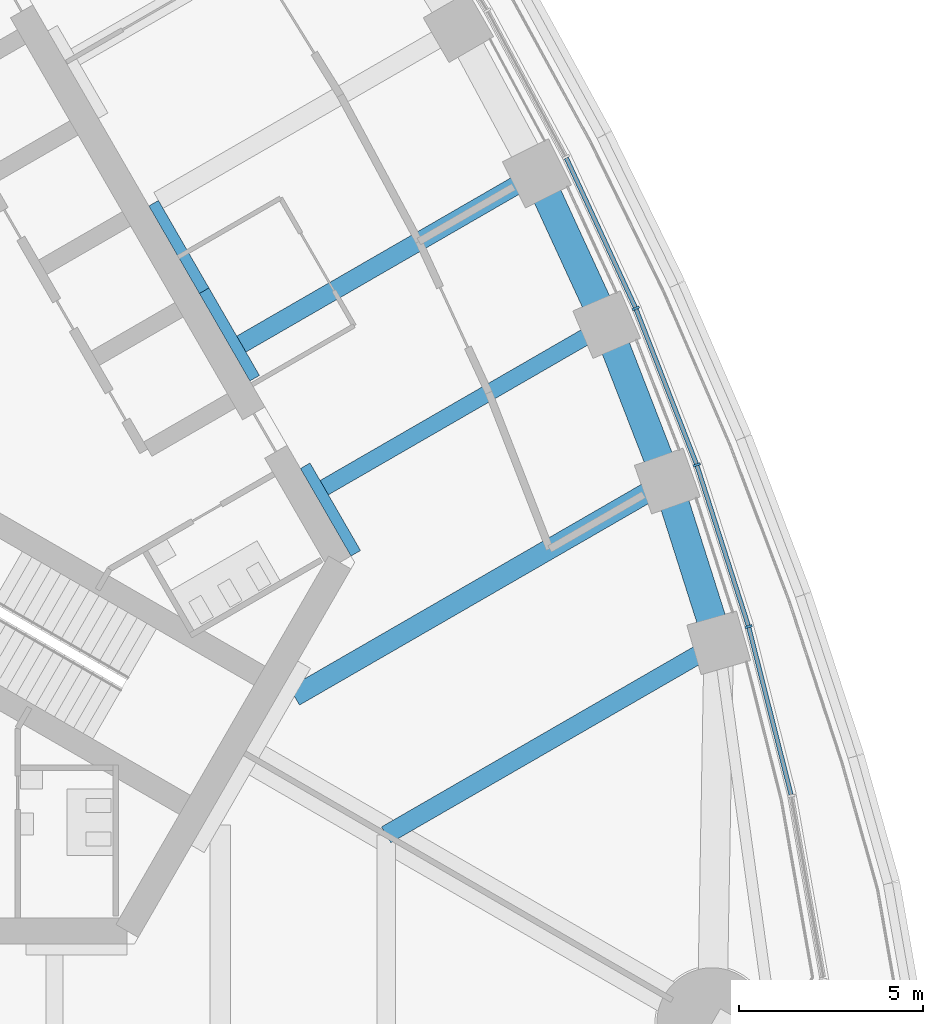
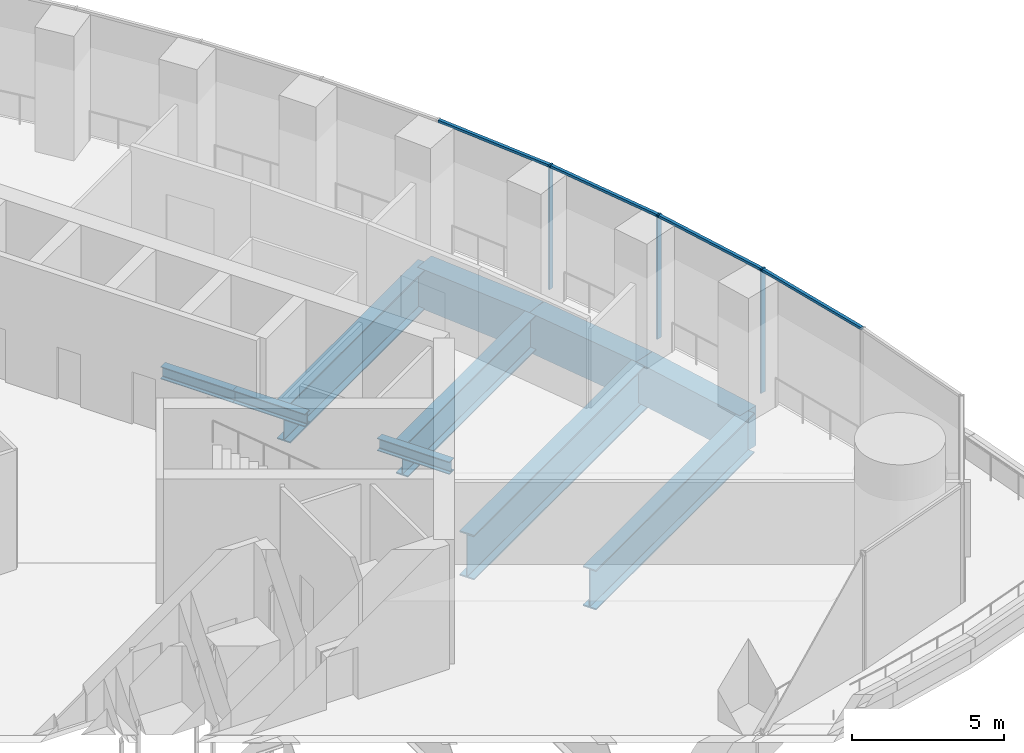
# One storey, part 5 of 26: 10 beams, 7 members, 1 element without a shape of its own.
"""IFC4 building model written with IfcOpenShell, lengths in metres."""

from ifc_helpers import new_model, si_unit, direction, frame, origin, origin_2d, place, context, subcontext, project, spatial, rectangle, i_section, extrude, material, material_profile, profile_set, type_object, element, aggregate, save


model = new_model("IFC4")

# Units and contexts
model_context = context("Model", 3, precision=1e-05, world=origin(), true_north=direction((0.0, 1.0)))
body_context = subcontext(model_context, "Body", "Model", "MODEL_VIEW")
ifc_project = project(units=[si_unit("LENGTHUNIT", "METRE"), si_unit("AREAUNIT", "SQUARE_METRE"), si_unit("VOLUMEUNIT", "CUBIC_METRE"), si_unit("PLANEANGLEUNIT", "RADIAN"), si_unit("MASSUNIT", "GRAM", prefix="KILO")], contexts=[model_context])

# Site, building, storey
site_placement = place(None, origin())
site = spatial("IfcSite", under=ifc_project, at=site_placement, CompositionType="ELEMENT")
building_placement = place(site_placement, origin())
building = spatial("IfcBuilding", under=site, at=building_placement, Name="Trefoil Bronze Tower", CompositionType="ELEMENT")
storey_placement = place(building_placement, frame((0.0, 0.0, 271.300048828125)))
storey = spatial("IfcBuildingStorey", under=building, at=storey_placement, Name="L62", CompositionType="ELEMENT", Elevation=271.300048828125)

# Curtain wall, members
ifc_material_1 = material(Name="Tinted solar-control glass", Category="glass")
curtain_wall_type = type_object("IfcCurtainWallType", Name="Bronze sky lobby curtain wall", PredefinedType="USERDEFINED", material=ifc_material_1)
curtain_wall_placement = place(storey_placement, origin())
curtain_wall = element("IfcCurtainWall", 1, at=curtain_wall_placement, inside=storey, type_object=curtain_wall_type, Name="CW-D L62 F2", ObjectType="CURTAIN WALL", PredefinedType="USERDEFINED")
ifc_material_2 = material(Name="Bronze-finish aluminium", Category="aluminium")
ifc_material_profile_1 = material_profile(ifc_material_2, rectangle(XDim=0.199951171875, YDim=0.06005859375, at=origin_2d()), Name="CW-D mullion")
ifc_profile_set_1 = profile_set([ifc_material_profile_1], Name="Bronze-finish aluminium")
member_type_1 = type_object("IfcMemberType", Name="Bronze sky lobby curtain wall mullion", PredefinedType="MULLION", material=ifc_profile_set_1)
member_1_placement = place(storey_placement, frame((27.837646484375, -4.740478515625, 0.0), z_axis=(0.0, 0.0, 1.0), x_axis=(-0.961395843746, -0.275169096426, 0.0)))
member_1 = element("IfcMember", 2, at=member_1_placement, type_object=member_type_1, Name="CW-D L62 F2 mullion 2", PredefinedType="MULLION", context=body_context, shape_type="SweptSolid", body=[
    extrude(rectangle(XDim=0.199951171875, YDim=0.06005859375, at=origin_2d()), origin(), (0.0, 0.0, 1.0), 4.97998046875),
])
member_2_placement = place(storey_placement, frame((26.430419921875, -0.349853515625, 0.0), z_axis=(0.0, 0.0, 1.0), x_axis=(-0.942448408407, -0.334351607581, 0.0)))
member_2 = element("IfcMember", 3, at=member_2_placement, type_object=member_type_1, Name="CW-D L62 F2 mullion 3", PredefinedType="MULLION", context=body_context, shape_type="SweptSolid", body=[
    extrude(rectangle(XDim=0.199951171875, YDim=0.06005859375, at=origin_2d()), origin(), (0.0, 0.0, 1.0), 4.97998046875),
])
member_3_placement = place(storey_placement, frame((24.77490234375, 3.8974609375, 0.0), z_axis=(0.0, 0.0, 1.0), x_axis=(-0.920205407004, -0.391435829888, 0.0)))
member_3 = element("IfcMember", 4, at=member_3_placement, type_object=member_type_1, Name="CW-D L62 F2 mullion 4", PredefinedType="MULLION", context=body_context, shape_type="SweptSolid", body=[
    extrude(rectangle(XDim=0.199951171875, YDim=0.06005859375, at=origin_2d()), origin(), (0.0, 0.0, 1.0), 4.97998046875),
])
ifc_material_3 = material(Name="Bronze-finish aluminium", Category="aluminium")
ifc_material_profile_2 = material_profile(ifc_material_3, rectangle(XDim=0.1201171875, YDim=0.10009765625, at=origin_2d()), Name="CW-D transom")
ifc_profile_set_2 = profile_set([ifc_material_profile_2], Name="Bronze-finish aluminium")
member_type_2 = type_object("IfcMemberType", Name="Bronze sky lobby curtain wall transom", PredefinedType="USERDEFINED", material=ifc_profile_set_2)
member_4_placement = place(storey_placement, frame((28.98876953125, -9.298095703125, 4.929931640625), z_axis=(-0.244897917875, 0.969548869228, 0.0), x_axis=(-0.969548869228, -0.244897917875, 0.0)))
member_4 = element("IfcMember", 5, at=member_4_placement, type_object=member_type_2, Name="CW-D L62 F2 transom 1", ObjectType="TRANSOM", PredefinedType="USERDEFINED", context=body_context, shape_type="SweptSolid", body=[
    extrude(rectangle(XDim=0.1201171875, YDim=0.10009765625, at=origin_2d()), origin(), (0.0, 0.0, 1.0), 4.66748046875),
])
member_5_placement = place(storey_placement, frame((27.82763671875, -4.708984375, 4.929931640625), z_axis=(-0.305198695133, 0.952288693879, 0.0), x_axis=(-0.952288693879, -0.305198695133, 0.0)))
member_5 = element("IfcMember", 6, at=member_5_placement, type_object=member_type_2, Name="CW-D L62 F2 transom 2", ObjectType="TRANSOM", PredefinedType="USERDEFINED", context=body_context, shape_type="SweptSolid", body=[
    extrude(rectangle(XDim=0.1201171875, YDim=0.10009765625, at=origin_2d()), origin(), (0.0, 0.0, 1.0), 4.54443359375),
])
member_6_placement = place(storey_placement, frame((26.41845703125, -0.31884765625, 4.929931640625), z_axis=(-0.363196209907, 0.931712677336, 0.0), x_axis=(-0.931712677336, -0.363196209907, 0.0)))
member_6 = element("IfcMember", 7, at=member_6_placement, type_object=member_type_2, Name="CW-D L62 F2 transom 3", ObjectType="TRANSOM", PredefinedType="USERDEFINED", context=body_context, shape_type="SweptSolid", body=[
    extrude(rectangle(XDim=0.1201171875, YDim=0.10009765625, at=origin_2d()), origin(), (0.0, 0.0, 1.0), 4.492431640625),
])
member_7_placement = place(storey_placement, frame((24.760986328125, 3.927490234375, 4.929931640625), z_axis=(-0.419315109343, 0.907840756453, 0.0), x_axis=(-0.907840756453, -0.419315109343, 0.0)))
member_7 = element("IfcMember", 8, at=member_7_placement, type_object=member_type_2, Name="CW-D L62 F2 transom 4", ObjectType="TRANSOM", PredefinedType="USERDEFINED", context=body_context, shape_type="SweptSolid", body=[
    extrude(rectangle(XDim=0.1201171875, YDim=0.10009765625, at=origin_2d()), origin(), (0.0, 0.0, 1.0), 4.458740234375),
])
aggregate(curtain_wall, [member_1, member_2, member_3, member_4, member_5, member_6, member_7])

# Beams
ifc_material_4 = material(Name="Steel C355", Category="steel")
ifc_material_profile_3 = material_profile(ifc_material_4, i_section(OverallWidth=0.300048828125, OverallDepth=0.5, WebThickness=0.014404296875, FlangeThickness=0.028076171875, FilletRadius=0.027099609375, at=origin_2d()), Name="HEB 500")
ifc_profile_set_3 = profile_set([ifc_material_profile_3], Name="Steel C355")
beam_type_1 = type_object("IfcBeamType", Name="Core seat beam HEB 500", PredefinedType="BEAM", material=ifc_profile_set_3)
for number, where, z_axis, x_axis, name in (
    (9, (17.17626953125, -2.75, -0.449951171875), (-0.500035825175, 0.866004719122, 0.0), (-0.866004719122, -0.500035825175, 0.0), "Core seat beam F2/-2 L62"),
    (10, (14.433837890625, 2.0, -0.449951171875), (-0.500035825175, 0.866004719122, 0.0), (-0.866004719122, -0.500035825175, 0.0), "Core seat beam F2/-1 L62"),
    (11, (13.0625, 4.375, -0.449951171875), (-0.499969057507, 0.866043267704, 0.0), (-0.866043267704, -0.499969057507, 0.0), "Core seat beam F2/+0 L62"),
):
    element("IfcBeam", number, at=place(storey_placement, frame(where, z_axis=z_axis, x_axis=x_axis)), inside=storey, type_object=beam_type_1, Name=name, PredefinedType="BEAM", context=body_context, shape_type="SweptSolid", body=[
        extrude(i_section(OverallWidth=0.300048828125, OverallDepth=0.5, WebThickness=0.014404296875, FlangeThickness=0.028076171875, FilletRadius=0.027099609375, at=origin_2d()), origin(), (0.0, 0.0, 1.0), 2.742431640625),
    ])
ifc_material_5 = material(Name="Steel C355", Category="steel")
ifc_material_profile_4 = material_profile(ifc_material_5, i_section(OverallWidth=0.449951171875, OverallDepth=1.39990234375, WebThickness=0.02294921875, FlangeThickness=0.044921875, FilletRadius=0.011962890625, at=origin_2d()), Name="WPG 1400")
ifc_profile_set_4 = profile_set([ifc_material_profile_4], Name="Steel C355")
beam_type_2 = type_object("IfcBeamType", Name="Floor beam WPG 1400", PredefinedType="BEAM", material=ifc_profile_set_4)
beam_1_placement = place(storey_placement, frame((23.98486328125, 3.455322265625, -0.900146484375), z_axis=(-0.866025701847, -0.499999483739, 0.0), x_axis=(0.499999483739, -0.866025701847, 0.0)))
element("IfcBeam", 12, at=beam_1_placement, inside=storey, type_object=beam_type_2, Name="Floor beam F2/-2 L62", PredefinedType="BEAM", context=body_context, shape_type="SweptSolid", body=[
    extrude(i_section(OverallWidth=0.449951171875, OverallDepth=1.39990234375, WebThickness=0.02294921875, FlangeThickness=0.044921875, FilletRadius=0.011962890625, at=origin_2d()), origin(), (0.0, 0.0, 1.0), 8.84912109375),
])
ifc_material_6 = material(Name="Steel C355", Category="steel")
ifc_material_profile_5 = material_profile(ifc_material_6, i_section(OverallWidth=0.5, OverallDepth=1.60009765625, WebThickness=0.02587890625, FlangeThickness=0.050048828125, FilletRadius=0.011962890625, at=origin_2d()), Name="WPG 1600")
ifc_profile_set_5 = profile_set([ifc_material_profile_5], Name="Steel C355")
beam_type_3 = type_object("IfcBeamType", Name="Floor beam WPG 1600", PredefinedType="BEAM", material=ifc_profile_set_5)
beam_2_placement = place(storey_placement, frame((27.02734375, -5.180419921875, -1.0), z_axis=(-0.866026453994, -0.499998180979, 0.0), x_axis=(0.499998180979, -0.866026453994, 0.0)))
element("IfcBeam", 13, at=beam_2_placement, inside=storey, type_object=beam_type_3, Name="Floor beam F2/-4 L62", PredefinedType="BEAM", context=body_context, shape_type="SweptSolid", body=[
    extrude(i_section(OverallWidth=0.5, OverallDepth=1.60009765625, WebThickness=0.02587890625, FlangeThickness=0.050048828125, FilletRadius=0.011962890625, at=origin_2d()), origin(), (0.0, 0.0, 1.0), 10.423828125),
])
beam_3_placement = place(storey_placement, frame((22.093994140625, 7.559814453125, -1.0), z_axis=(-0.866028909405, -0.499993928037, 0.0), x_axis=(0.499993928037, -0.866028909405, 0.0)))
element("IfcBeam", 14, at=beam_3_placement, inside=storey, type_object=beam_type_3, Name="Floor beam F2/-1 L62", PredefinedType="BEAM", context=body_context, shape_type="SweptSolid", body=[
    extrude(i_section(OverallWidth=0.5, OverallDepth=1.60009765625, WebThickness=0.02587890625, FlangeThickness=0.050048828125, FilletRadius=0.011962890625, at=origin_2d()), origin(), (0.0, 0.0, 1.0), 9.263671875),
])
ifc_material_7 = material(Name="Steel C355", Category="steel")
ifc_material_profile_6 = material_profile(ifc_material_7, i_section(OverallWidth=0.550048828125, OverallDepth=1.800048828125, WebThickness=0.029052734375, FlangeThickness=0.054931640625, FilletRadius=0.013916015625, at=origin_2d()), Name="WPG 1800")
ifc_profile_set_6 = profile_set([ifc_material_profile_6], Name="Steel C355")
beam_type_4 = type_object("IfcBeamType", Name="Floor beam WPG 1800", PredefinedType="BEAM", material=ifc_profile_set_6)
beam_4_placement = place(storey_placement, frame((25.631591796875, -0.7900390625, -1.10009765625), z_axis=(-0.866026929639, -0.499997357134, 0.0), x_axis=(0.499997357134, -0.866026929639, 0.0)))
element("IfcBeam", 15, at=beam_4_placement, inside=storey, type_object=beam_type_4, Name="Floor beam F2/-3 L62", PredefinedType="BEAM", context=body_context, shape_type="SweptSolid", body=[
    extrude(i_section(OverallWidth=0.550048828125, OverallDepth=1.800048828125, WebThickness=0.029052734375, FlangeThickness=0.054931640625, FilletRadius=0.013916015625, at=origin_2d()), origin(), (0.0, 0.0, 1.0), 11.68505859375),
])
ifc_material_8 = material(Name="Concrete B80", Category="concrete")
ifc_material_profile_7 = material_profile(ifc_material_8, rectangle(XDim=0.800048828125, YDim=1.60009765625, at=origin_2d()), Name="RC 800x1600")
ifc_profile_set_7 = profile_set([ifc_material_profile_7], Name="Concrete B80")
beam_type_5 = type_object("IfcBeamType", Name="Spandrel beam RC 800x1600", PredefinedType="SPANDREL", material=ifc_profile_set_7)
beam_5_placement = place(storey_placement, frame((27.02734375, -5.180419921875, -1.0), z_axis=(-0.302969597344, 0.953000221975, 0.0), x_axis=(-0.953000221975, -0.302969597344, 0.0)))
element("IfcBeam", 16, at=beam_5_placement, inside=storey, type_object=beam_type_5, Name="Spandrel F2.2 L62", PredefinedType="SPANDREL", context=body_context, shape_type="SweptSolid", body=[
    extrude(rectangle(XDim=0.800048828125, YDim=1.60009765625, at=origin_2d()), origin(), (0.0, 0.0, 1.0), 4.60693359375),
])
beam_6_placement = place(storey_placement, frame((25.631591796875, -0.7900390625, -1.0), z_axis=(-0.361636286502, 0.932319256631, 0.0), x_axis=(-0.932319256631, -0.361636286502, 0.0)))
element("IfcBeam", 17, at=beam_6_placement, inside=storey, type_object=beam_type_5, Name="Spandrel F2.3 L62", PredefinedType="SPANDREL", context=body_context, shape_type="SweptSolid", body=[
    extrude(rectangle(XDim=0.800048828125, YDim=1.60009765625, at=origin_2d()), origin(), (0.0, 0.0, 1.0), 4.553466796875),
])
beam_7_placement = place(storey_placement, frame((23.98486328125, 3.455322265625, -1.0), z_axis=(-0.418417425199, 0.90825484215, 0.0), x_axis=(-0.90825484215, -0.418417425199, 0.0)))
element("IfcBeam", 18, at=beam_7_placement, inside=storey, type_object=beam_type_5, Name="Spandrel F2.4 L62", PredefinedType="SPANDREL", context=body_context, shape_type="SweptSolid", body=[
    extrude(rectangle(XDim=0.800048828125, YDim=1.60009765625, at=origin_2d()), origin(), (0.0, 0.0, 1.0), 4.51904296875),
])

save(model, "model.ifc")
